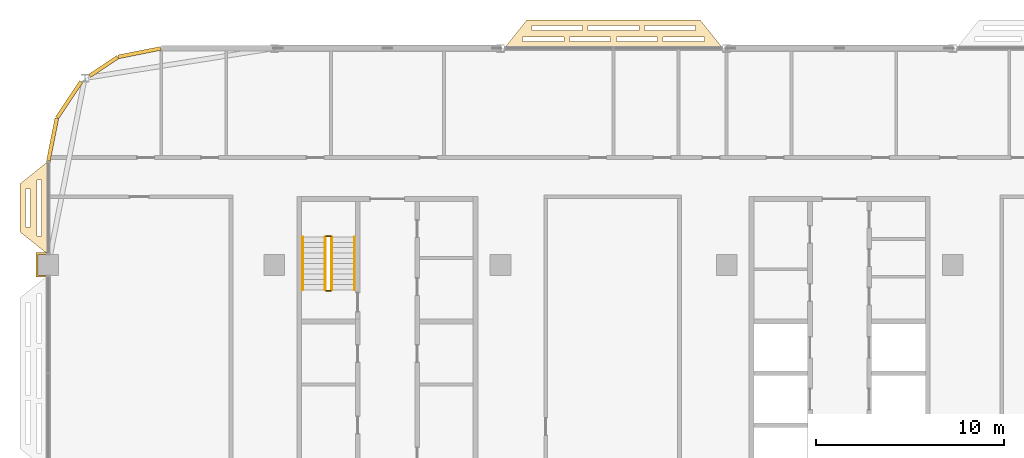
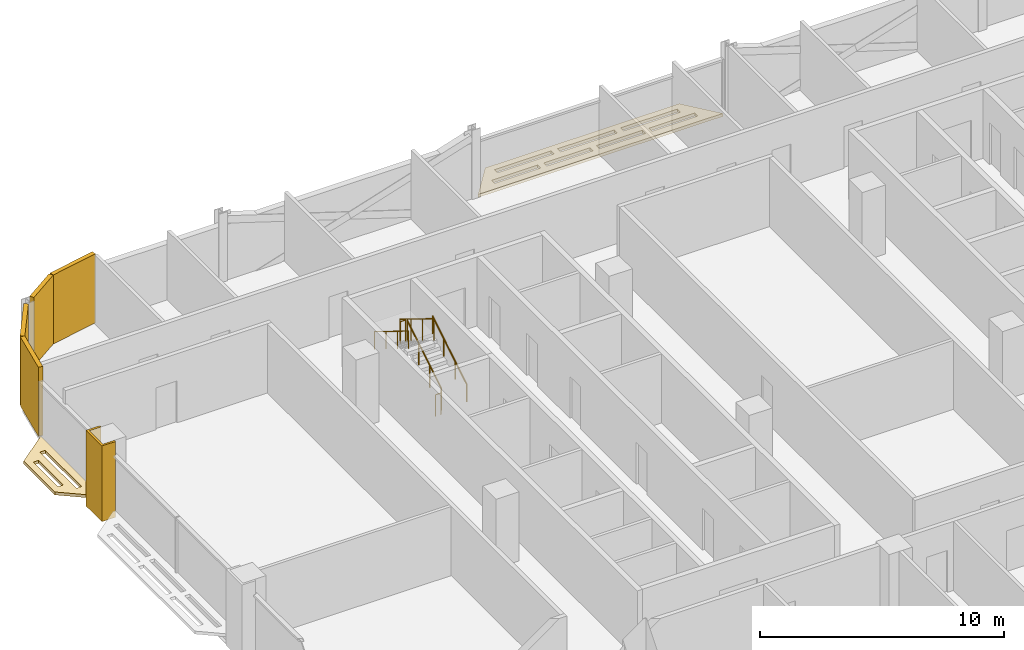
# One storey, part 27 of 30: 7 coverings, 6 railings.
"""IFC4 building model written with IfcOpenShell, lengths in metres."""

from ifc_helpers import new_model, si_unit, direction, frame, origin, origin_2d, place, context, subcontext, project, spatial, polyline, rectangle, circle, outline, extrude, material, layer, layer_set, type_object, element, save


model = new_model("IFC4")

# Units and contexts
model_context = context("Model", 3, precision=1e-05, world=origin(), true_north=direction((0.0, 1.0)))
body_context = subcontext(model_context, "Body", "Model", "MODEL_VIEW")
ifc_project = project(units=[si_unit("LENGTHUNIT", "METRE"), si_unit("AREAUNIT", "SQUARE_METRE"), si_unit("VOLUMEUNIT", "CUBIC_METRE"), si_unit("PLANEANGLEUNIT", "RADIAN"), si_unit("MASSUNIT", "GRAM", prefix="KILO")], contexts=[model_context])

# Site, building, storey
site_placement = place(None, origin())
site = spatial("IfcSite", under=ifc_project, at=site_placement, CompositionType="ELEMENT")
building_placement = place(site_placement, origin())
building = spatial("IfcBuilding", under=site, at=building_placement, Name="Mahtab Terrace Research Tower", CompositionType="ELEMENT")
storey_placement = place(building_placement, frame((0.0, 0.0, 216.699951171875)))
storey = spatial("IfcBuildingStorey", under=building, at=storey_placement, Name="L52", CompositionType="ELEMENT", Elevation=216.699951171875)

# Coverings
ifc_material_1 = material(Name="Black aluminium cladding panel", Category="aluminium")
ifc_layer_1 = layer(ifc_material_1, 0.199951171875)
ifc_layer_set_1 = layer_set([ifc_layer_1], Name="Black metal corner cladding 200")
covering_type_1 = type_object("IfcCoveringType", Name="Black metal corner cladding 200", PredefinedType="CLADDING", material=ifc_layer_set_1)
covering_1_placement = place(storey_placement, frame((-37.14794921875, 22.771484375, 0.0), z_axis=(0.0, 0.0, 1.0), x_axis=(-0.980760981187, -0.195212442692, 0.0)))
element("IfcCovering", 1, at=covering_1_placement, inside=storey, type_object=covering_type_1, Name="Corner cladding L52 11", PredefinedType="CLADDING", context=body_context, shape_type="SweptSolid", body=[
    extrude(rectangle(XDim=2.30126953125, YDim=0.199951171875, at=origin_2d()), origin(), (0.0, 0.0, 1.0), 3.4599609375),
])
covering_2_placement = place(storey_placement, frame((-39.059814453125, 22.032958984375, 0.0), z_axis=(0.0, 0.0, 1.0), x_axis=(-0.831655794326, -0.555291490808, 0.0)))
element("IfcCovering", 2, at=covering_2_placement, inside=storey, type_object=covering_type_1, Name="Corner cladding L52 12", PredefinedType="CLADDING", context=body_context, shape_type="SweptSolid", body=[
    extrude(rectangle(XDim=1.797119140625, YDim=0.199951171875, at=origin_2d()), origin(), (0.0, 0.0, 1.0), 3.4599609375),
])
for number, where, z_axis, x_axis, name in (
    (3, (-40.89306640625, 20.26953125, 0.0), (0.0, 0.0, 1.0), (-0.555291490808, -0.831655794326, 0.0), "Corner cladding L52 13"),
    (4, (-41.771484375, 18.14794921875, 0.0), (0.0, 0.0, 1.0), (-0.195212442692, -0.980760981187, 0.0), "Corner cladding L52 14"),
):
    element("IfcCovering", number, at=place(storey_placement, frame(where, z_axis=z_axis, x_axis=x_axis)), inside=storey, type_object=covering_type_1, Name=name, PredefinedType="CLADDING", context=body_context, shape_type="SweptSolid", body=[
        extrude(rectangle(XDim=2.30126953125, YDim=0.199951171875, at=origin_2d()), origin(), (0.0, 0.0, 1.0), 3.4599609375),
    ])
ifc_material_2 = material(Name="Dark anodised aluminium cladding", Category="aluminium")
ifc_layer_2 = layer(ifc_material_2, 0.10009765625)
ifc_layer_set_2 = layer_set([ifc_layer_2], Name="Column casing 100")
covering_type_2 = type_object("IfcCoveringType", Name="Column casing 100", PredefinedType="CLADDING", material=ifc_layer_set_2)
covering_3_placement = place(storey_placement, frame((0.0, 0.0, -0.33984375)))
element("IfcCovering", 5, at=covering_3_placement, inside=storey, type_object=covering_type_2, Name="Column casing RC-1C L52", PredefinedType="CLADDING", context=body_context, shape_type="SweptSolid", body=[
    extrude(outline(polyline([(-42.64990234375, 12.14990234375), (-42.0, 12.14990234375), (-42.0, 12.050048828125), (-42.550048828125, 12.050048828125), (-42.550048828125, 10.949951171875), (-42.0, 10.949951171875), (-42.0, 10.85009765625), (-42.64990234375, 10.85009765625), (-42.64990234375, 12.14990234375)])), origin(), (0.0, 0.0, 1.0), 3.7998046875),
])
ifc_material_3 = material(Name="Black anodised aluminium", Category="aluminium")
ifc_layer_3 = layer(ifc_material_3, 0.14990234375)
ifc_layer_set_3 = layer_set([ifc_layer_3], Name="Horizontal sunshade band")
covering_type_3 = type_object("IfcCoveringType", Name="Horizontal sunshade band", PredefinedType="CLADDING", material=ifc_layer_set_3)
covering_4_placement = place(storey_placement, frame((0.0, 0.0, -0.14990234375)))
element("IfcCovering", 6, at=covering_4_placement, inside=storey, type_object=covering_type_3, Name="Sunshade band L52 8", PredefinedType="CLADDING", context=body_context, shape_type="SweptSolid", body=[
    extrude(outline(polyline([(-6.199951171875, 23.0), (-17.800048828125, 23.0), (-16.60009765625, 24.5), (-7.39990234375, 24.5), (-6.199951171875, 23.0)]), holes=[polyline([(-7.179931640625, 23.35009765625), (-9.364990234375, 23.35009765625), (-9.364990234375, 23.60009765625), (-7.179931640625, 23.60009765625), (-7.179931640625, 23.35009765625)]), polyline([(-9.6650390625, 23.35009765625), (-11.85009765625, 23.35009765625), (-11.85009765625, 23.60009765625), (-9.6650390625, 23.60009765625), (-9.6650390625, 23.35009765625)]), polyline([(-12.14990234375, 23.35009765625), (-14.3349609375, 23.35009765625), (-14.3349609375, 23.60009765625), (-12.14990234375, 23.60009765625), (-12.14990234375, 23.35009765625)]), polyline([(-14.635009765625, 23.35009765625), (-16.820068359375, 23.35009765625), (-16.820068359375, 23.60009765625), (-14.635009765625, 23.60009765625), (-14.635009765625, 23.35009765625)]), polyline([(-7.659912109375, 23.949951171875), (-10.35302734375, 23.949951171875), (-10.35302734375, 24.199951171875), (-7.659912109375, 24.199951171875), (-7.659912109375, 23.949951171875)]), polyline([(-10.653076171875, 23.949951171875), (-13.346923828125, 23.949951171875), (-13.346923828125, 24.199951171875), (-10.653076171875, 24.199951171875), (-10.653076171875, 23.949951171875)]), polyline([(-13.64697265625, 23.949951171875), (-16.340087890625, 23.949951171875), (-16.340087890625, 24.199951171875), (-13.64697265625, 24.199951171875), (-13.64697265625, 23.949951171875)])]), origin(), (0.0, 0.0, 1.0), 0.14990234375),
])
covering_5_placement = place(storey_placement, frame((0.0, 0.0, -0.14990234375)))
element("IfcCovering", 7, at=covering_5_placement, inside=storey, type_object=covering_type_3, Name="Sunshade band L52 15", PredefinedType="CLADDING", context=body_context, shape_type="SweptSolid", body=[
    extrude(outline(polyline([(-42.0, 17.0), (-42.0, 12.050048828125), (-43.5, 13.25), (-43.5, 15.800048828125), (-42.0, 17.0)]), holes=[polyline([(-42.35009765625, 16.02001953125), (-42.35009765625, 13.030029296875), (-42.60009765625, 13.030029296875), (-42.60009765625, 16.02001953125), (-42.35009765625, 16.02001953125)]), polyline([(-42.949951171875, 15.5400390625), (-42.949951171875, 13.510009765625), (-43.199951171875, 13.510009765625), (-43.199951171875, 15.5400390625), (-42.949951171875, 15.5400390625)])]), origin(), (0.0, 0.0, 1.0), 0.14990234375),
])

# Railings
ifc_material_4 = material(Name="Stainless steel AISI 304", Category="steel")
railing_type_1 = type_object("IfcRailingType", Name="Stair guard 1100", PredefinedType="GUARDRAIL", material=ifc_material_4)
railing_1_placement = place(storey_placement, frame((-26.949951171875, 10.175048828125, 0.1728515625)))
element("IfcRailing", 8, at=railing_1_placement, inside=storey, type_object=railing_type_1, Name="L52 ST1 stair guard 1", PredefinedType="GUARDRAIL", context=body_context, shape_type="SweptSolid", body=[
    extrude(circle(Radius=0.02392578125, at=origin_2d()), frame((0.0, 0.0, 1.076171875), z_axis=(0.0, 0.851089632645, 0.525020415988), x_axis=(-1.0, 0.0, 0.0)), (0.0, 0.0, 1.0), 3.2900390625),
    extrude(circle(Radius=0.02099609375, at=origin_2d()), origin(), (0.0, 0.0, 1.0), 1.052001953125),
    extrude(circle(Radius=0.02099609375, at=origin_2d()), frame((0.0, 0.933349609375, 0.57568359375)), (0.0, 0.0, 1.0), 1.052001953125),
    extrude(circle(Radius=0.02099609375, at=origin_2d()), frame((0.0, 1.86669921875, 1.151611328125)), (0.0, 0.0, 1.0), 1.052001953125),
    extrude(circle(Radius=0.02099609375, at=origin_2d()), frame((0.0, 2.800048828125, 1.727294921875)), (0.0, 0.0, 1.0), 1.052001953125),
])
railing_2_placement = place(storey_placement, frame((-27.0, 13.02490234375, 1.900146484375)))
element("IfcRailing", 9, at=railing_2_placement, inside=storey, type_object=railing_type_1, Name="L52 ST1 stair guard 2", PredefinedType="GUARDRAIL", context=body_context, shape_type="SweptSolid", body=[
    extrude(circle(Radius=0.02392578125, at=origin_2d()), frame((0.0, 0.0, 1.076171875), z_axis=(-1.0, 0.0, 0.0), x_axis=(0.0, -1.0, 0.0)), (0.0, 0.0, 1.0), 0.25),
    extrude(circle(Radius=0.02099609375, at=origin_2d()), origin(), (0.0, 0.0, 1.0), 1.052001953125),
    extrude(circle(Radius=0.02099609375, at=origin_2d()), frame((-0.25, 0.0, 0.0)), (0.0, 0.0, 1.0), 1.052001953125),
])
railing_3_placement = place(storey_placement, frame((-27.300048828125, 12.97509765625, 2.07275390625)))
element("IfcRailing", 10, at=railing_3_placement, inside=storey, type_object=railing_type_1, Name="L52 ST1 stair guard 3", PredefinedType="GUARDRAIL", context=body_context, shape_type="SweptSolid", body=[
    extrude(circle(Radius=0.02392578125, at=origin_2d()), frame((0.0, 0.0, 1.076171875), z_axis=(0.0, -0.851089632645, 0.525020415988), x_axis=(1.0, 0.0, 0.0)), (0.0, 0.0, 1.0), 3.2900390625),
    extrude(circle(Radius=0.02099609375, at=origin_2d()), origin(), (0.0, 0.0, 1.0), 1.052001953125),
    extrude(circle(Radius=0.02099609375, at=origin_2d()), frame((0.0, -0.933349609375, 0.57568359375)), (0.0, 0.0, 1.0), 1.052001953125),
    extrude(circle(Radius=0.02099609375, at=origin_2d()), frame((0.0, -1.86669921875, 1.151611328125)), (0.0, 0.0, 1.0), 1.052001953125),
    extrude(circle(Radius=0.02099609375, at=origin_2d()), frame((0.0, -2.800048828125, 1.727294921875)), (0.0, 0.0, 1.0), 1.052001953125),
])
railing_4_placement = place(storey_placement, frame((-27.0, 10.125, 0.0)))
element("IfcRailing", 11, at=railing_4_placement, inside=storey, type_object=railing_type_1, Name="L52 ST1 stair guard 4", PredefinedType="GUARDRAIL", context=body_context, shape_type="SweptSolid", body=[
    extrude(circle(Radius=0.02392578125, at=origin_2d()), frame((0.0, 0.0, 1.076171875), z_axis=(-1.0, 0.0, 0.0), x_axis=(0.0, -1.0, 0.0)), (0.0, 0.0, 1.0), 0.25),
    extrude(circle(Radius=0.02099609375, at=origin_2d()), origin(), (0.0, 0.0, 1.0), 1.052001953125),
    extrude(circle(Radius=0.02099609375, at=origin_2d()), frame((-0.25, 0.0, 0.0)), (0.0, 0.0, 1.0), 1.052001953125),
])
railing_type_2 = type_object("IfcRailingType", Name="Stair handrail 900", PredefinedType="HANDRAIL", material=ifc_material_4)
railing_5_placement = place(storey_placement, frame((-25.75, 10.175048828125, 0.1728515625)))
element("IfcRailing", 12, at=railing_5_placement, inside=storey, type_object=railing_type_2, Name="L52 ST1 stair handrail 1", PredefinedType="HANDRAIL", context=body_context, shape_type="SweptSolid", body=[
    extrude(circle(Radius=0.02392578125, at=origin_2d()), frame((0.0, 0.0, 0.8759765625), z_axis=(0.0, 0.851089632645, 0.525020415988), x_axis=(-1.0, 0.0, 0.0)), (0.0, 0.0, 1.0), 3.2900390625),
    extrude(circle(Radius=0.02099609375, at=origin_2d()), origin(), (0.0, 0.0, 1.0), 0.851806640625),
    extrude(circle(Radius=0.02099609375, at=origin_2d()), frame((0.0, 0.933349609375, 0.57568359375)), (0.0, 0.0, 1.0), 0.851806640625),
    extrude(circle(Radius=0.02099609375, at=origin_2d()), frame((0.0, 1.86669921875, 1.151611328125)), (0.0, 0.0, 1.0), 0.851806640625),
    extrude(circle(Radius=0.02099609375, at=origin_2d()), frame((0.0, 2.800048828125, 1.727294921875)), (0.0, 0.0, 1.0), 0.851806640625),
])
railing_6_placement = place(storey_placement, frame((-28.5, 12.97509765625, 2.07275390625)))
element("IfcRailing", 13, at=railing_6_placement, inside=storey, type_object=railing_type_2, Name="L52 ST1 stair handrail 2", PredefinedType="HANDRAIL", context=body_context, shape_type="SweptSolid", body=[
    extrude(circle(Radius=0.02392578125, at=origin_2d()), frame((0.0, 0.0, 0.8759765625), z_axis=(0.0, -0.851089632645, 0.525020415988), x_axis=(1.0, 0.0, 0.0)), (0.0, 0.0, 1.0), 3.2900390625),
    extrude(circle(Radius=0.02099609375, at=origin_2d()), origin(), (0.0, 0.0, 1.0), 0.851806640625),
    extrude(circle(Radius=0.02099609375, at=origin_2d()), frame((0.0, -0.933349609375, 0.57568359375)), (0.0, 0.0, 1.0), 0.851806640625),
    extrude(circle(Radius=0.02099609375, at=origin_2d()), frame((0.0, -1.86669921875, 1.151611328125)), (0.0, 0.0, 1.0), 0.851806640625),
    extrude(circle(Radius=0.02099609375, at=origin_2d()), frame((0.0, -2.800048828125, 1.727294921875)), (0.0, 0.0, 1.0), 0.851806640625),
])

save(model, "model.ifc")
